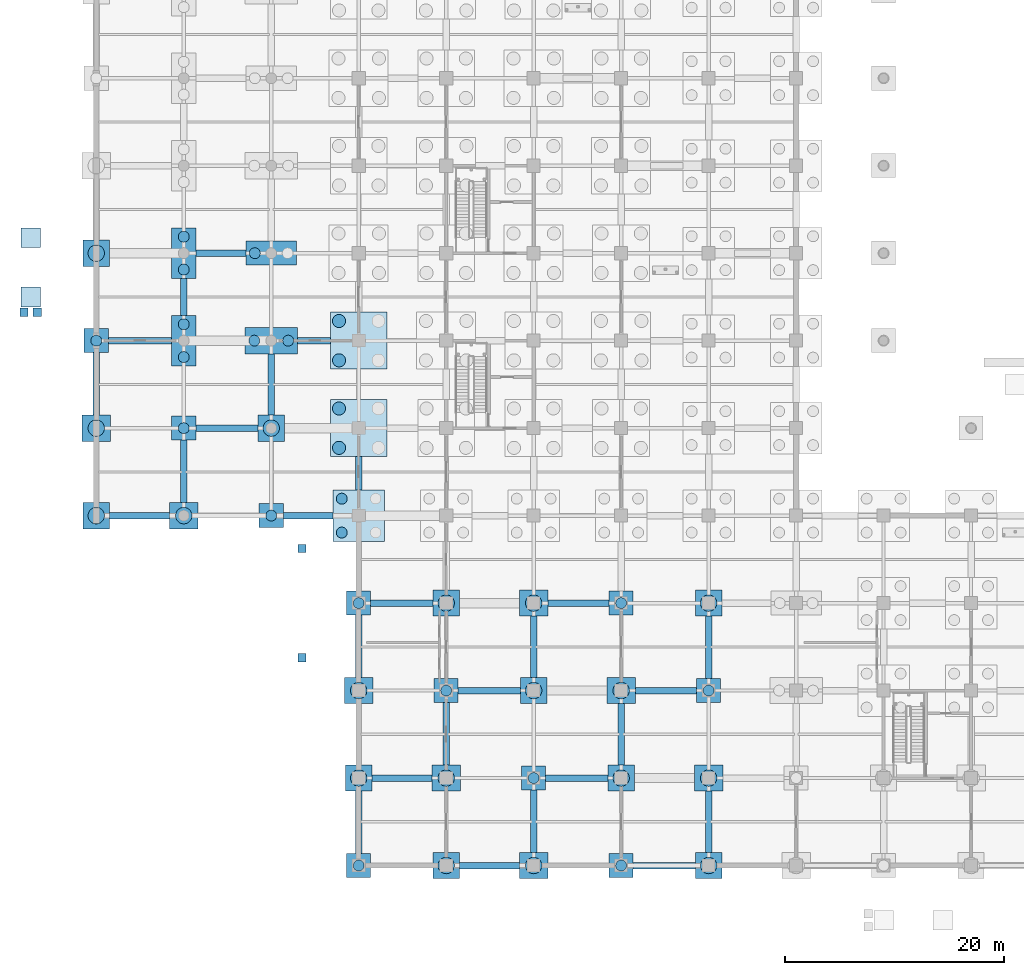
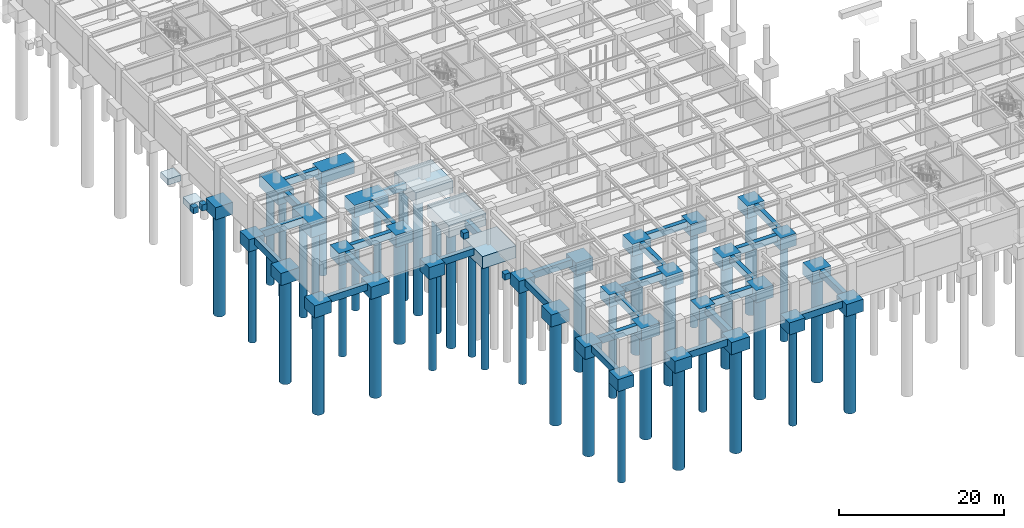
# One storey, part 1 of 97: 68 footings, 41 piles.
"""IFC4 building model written with IfcOpenShell, lengths in metres."""

from ifc_helpers import new_model, si_unit, direction, frame, origin, origin_2d, place, context, subcontext, project, spatial, rectangle, circle, extrude, material, layer, layer_set, material_profile, profile_set, type_object, element, save


model = new_model("IFC4")

# Units and contexts
model_context = context("Model", 3, precision=1e-05, world=origin(), true_north=direction((0.0, 1.0)))
body_context = subcontext(model_context, "Body", "Model", "MODEL_VIEW")
ifc_project = project(units=[si_unit("LENGTHUNIT", "METRE"), si_unit("AREAUNIT", "SQUARE_METRE"), si_unit("VOLUMEUNIT", "CUBIC_METRE"), si_unit("PLANEANGLEUNIT", "RADIAN"), si_unit("MASSUNIT", "GRAM", prefix="KILO")], contexts=[model_context])

# Site, building, storey
site_placement = place(None, origin())
site = spatial("IfcSite", under=ifc_project, at=site_placement, CompositionType="ELEMENT")
building_placement = place(site_placement, origin())
building = spatial("IfcBuilding", under=site, at=building_placement, Name="Haebicheon Civic Stadium", CompositionType="ELEMENT")
storey_placement = place(building_placement, frame((0.0, 0.0, -5.39990234375)))
storey = spatial("IfcBuildingStorey", under=building, at=storey_placement, Name="B1", CompositionType="ELEMENT", Elevation=-5.39990234375)

# Footings
ifc_material_1 = material(Name="Concrete C40/50", Category="concrete")
ifc_layer_1 = layer(ifc_material_1, 1.0, Name="Concrete C40/50")
ifc_layer_set_1 = layer_set([ifc_layer_1], Name="Concrete C40/50")
footing_type_1 = type_object("IfcFootingType", Name="FB-3000x600", PredefinedType="FOOTING_BEAM", material=ifc_layer_set_1)
footing_1_placement = place(storey_placement, frame((19.89990234375, 48.0, -1.0), z_axis=(0.0, 0.0, 1.0), x_axis=(1.0, 0.0, 0.0)))
element("IfcFooting", 1, at=footing_1_placement, inside=storey, type_object=footing_type_1, material=ifc_layer_set_1, Name="Ground tie beam X 02-06", PredefinedType="FOOTING_BEAM", context=body_context, shape_type="SweptSolid", body=[
    extrude(rectangle(XDim=3.0, YDim=0.60009765625, at=origin_2d()), origin(), (0.0, 0.0, 1.0), 1.0),
])
ifc_material_2 = material(Name="Concrete C40/50", Category="concrete")
ifc_layer_2 = layer(ifc_material_2, 1.0, Name="Concrete C40/50")
ifc_layer_set_2 = layer_set([ifc_layer_2], Name="Concrete C40/50")
footing_type_2 = type_object("IfcFootingType", Name="FB-3050x600", PredefinedType="FOOTING_BEAM", material=ifc_layer_set_2)
footing_2_placement = place(storey_placement, frame((24.0, 35.875, -1.0), z_axis=(0.0, 0.0, 1.0), x_axis=(0.0, 1.0, 0.0)))
element("IfcFooting", 2, at=footing_2_placement, inside=storey, type_object=footing_type_2, material=ifc_layer_set_2, Name="Ground tie beam Y 03-04", PredefinedType="FOOTING_BEAM", context=body_context, shape_type="SweptSolid", body=[
    extrude(rectangle(XDim=3.050048828125, YDim=0.60009765625, at=origin_2d()), origin(), (0.0, 0.0, 1.0), 1.0),
])
ifc_material_3 = material(Name="Concrete C40/50", Category="concrete")
ifc_layer_3 = layer(ifc_material_3, 1.0, Name="Concrete C40/50")
ifc_layer_set_3 = layer_set([ifc_layer_3], Name="Concrete C40/50")
footing_type_3 = type_object("IfcFootingType", Name="FB-3400x600", PredefinedType="FOOTING_BEAM", material=ifc_layer_set_3)
footing_3_placement = place(storey_placement, frame((8.0, 52.0, -1.0), z_axis=(0.0, 0.0, 1.0), x_axis=(0.0, 1.0, 0.0)))
element("IfcFooting", 3, at=footing_3_placement, inside=storey, type_object=footing_type_3, material=ifc_layer_set_3, Name="Ground tie beam Y 01-06", PredefinedType="FOOTING_BEAM", context=body_context, shape_type="SweptSolid", body=[
    extrude(rectangle(XDim=3.39990234375, YDim=0.60009765625, at=origin_2d()), origin(), (0.0, 0.0, 1.0), 1.0),
])
ifc_material_4 = material(Name="Concrete C40/50", Category="concrete")
ifc_layer_4 = layer(ifc_material_4, 1.0, Name="Concrete C40/50")
ifc_layer_set_4 = layer_set([ifc_layer_4], Name="Concrete C40/50")
footing_type_4 = type_object("IfcFootingType", Name="FB-4550x600", PredefinedType="FOOTING_BEAM", material=ifc_layer_set_4)
footing_4_placement = place(storey_placement, frame((19.375, 32.0, -1.0), z_axis=(0.0, 0.0, 1.0), x_axis=(1.0, 0.0, 0.0)))
element("IfcFooting", 4, at=footing_4_placement, inside=storey, type_object=footing_type_4, material=ifc_layer_set_4, Name="Ground tie beam X 02-04", PredefinedType="FOOTING_BEAM", context=body_context, shape_type="SweptSolid", body=[
    extrude(rectangle(XDim=4.550048828125, YDim=0.60009765625, at=origin_2d()), origin(), (0.0, 0.0, 1.0), 1.0),
])
ifc_material_5 = material(Name="Concrete C40/50", Category="concrete")
ifc_layer_5 = layer(ifc_material_5, 1.0, Name="Concrete C40/50")
ifc_layer_set_5 = layer_set([ifc_layer_5], Name="Concrete C40/50")
footing_type_5 = type_object("IfcFootingType", Name="FB-4600x600", PredefinedType="FOOTING_BEAM", material=ifc_layer_set_5)
footing_5_placement = place(storey_placement, frame((11.39990234375, 56.0, -1.0), z_axis=(0.0, 0.0, 1.0), x_axis=(1.0, 0.0, 0.0)))
element("IfcFooting", 5, at=footing_5_placement, inside=storey, type_object=footing_type_5, material=ifc_layer_set_5, Name="Ground tie beam X 01-07", PredefinedType="FOOTING_BEAM", context=body_context, shape_type="SweptSolid", body=[
    extrude(rectangle(XDim=4.60009765625, YDim=0.60009765625, at=origin_2d()), origin(), (0.0, 0.0, 1.0), 1.0),
])
ifc_material_6 = material(Name="Concrete C40/50", Category="concrete")
ifc_layer_6 = layer(ifc_material_6, 1.0, Name="Concrete C40/50")
ifc_layer_set_6 = layer_set([ifc_layer_6], Name="Concrete C40/50")
footing_type_6 = type_object("IfcFootingType", Name="FB-5500x600", PredefinedType="FOOTING_BEAM", material=ifc_layer_set_6)
for number, where, z_axis, x_axis, name in (
    (6, (3.949951171875, 32.0, -1.0), (0.0, 0.0, 1.0), (1.0, 0.0, 0.0), "Ground tie beam X 00-04"),
    (7, (27.949951171875, 8.0, -1.0), (0.0, 0.0, 1.0), (1.0, 0.0, 0.0), "Ground tie beam X 03-01"),
    (8, (35.949951171875, 0.0, -1.0), (0.0, 0.0, 1.0), (1.0, 0.0, 0.0), "Ground tie beam X 04-00"),
):
    element("IfcFooting", number, at=place(storey_placement, frame(where, z_axis=z_axis, x_axis=x_axis)), inside=storey, type_object=footing_type_6, material=ifc_layer_set_6, Name=name, PredefinedType="FOOTING_BEAM", context=body_context, shape_type="SweptSolid", body=[
        extrude(rectangle(XDim=5.5, YDim=0.60009765625, at=origin_2d()), origin(), (0.0, 0.0, 1.0), 1.0),
    ])
ifc_material_7 = material(Name="Concrete C40/50", Category="concrete")
ifc_layer_7 = layer(ifc_material_7, 1.0, Name="Concrete C40/50")
ifc_layer_set_7 = layer_set([ifc_layer_7], Name="Concrete C40/50")
footing_type_7 = type_object("IfcFootingType", Name="FB-5600x600", PredefinedType="FOOTING_BEAM", material=ifc_layer_set_7)
for number, where, z_axis, x_axis, name in (
    (9, (16.0, 44.0, -1.0), (0.0, 0.0, 1.0), (0.0, 1.0, 0.0), "Ground tie beam Y 02-05"),
    (10, (40.0, 20.0, -1.0), (0.0, 0.0, 1.0), (0.0, 1.0, 0.0), "Ground tie beam Y 05-02"),
    (11, (44.10009765625, 24.0, -1.0), (0.0, 0.0, 1.0), (1.0, 0.0, 0.0), "Ground tie beam X 05-03"),
    (12, (48.0, 12.0, -1.0), (0.0, 0.0, 1.0), (0.0, 1.0, 0.0), "Ground tie beam Y 06-01"),
    (13, (52.10009765625, 16.0, -1.0), (0.0, 0.0, 1.0), (1.0, 0.0, 0.0), "Ground tie beam X 06-02"),
    (14, (56.0, 4.0, -1.0), (0.0, 0.0, 1.0), (0.0, 1.0, 0.0), "Ground tie beam Y 07-00"),
):
    element("IfcFooting", number, at=place(storey_placement, frame(where, z_axis=z_axis, x_axis=x_axis)), inside=storey, type_object=footing_type_7, material=ifc_layer_set_7, Name=name, PredefinedType="FOOTING_BEAM", context=body_context, shape_type="SweptSolid", body=[
        extrude(rectangle(XDim=5.60009765625, YDim=0.60009765625, at=origin_2d()), origin(), (0.0, 0.0, 1.0), 1.0),
    ])
ifc_material_8 = material(Name="Concrete C40/50", Category="concrete")
ifc_layer_8 = layer(ifc_material_8, 1.0, Name="Concrete C40/50")
ifc_layer_set_8 = layer_set([ifc_layer_8], Name="Concrete C40/50")
footing_type_8 = type_object("IfcFootingType", Name="FB-5700x600", PredefinedType="FOOTING_BEAM", material=ifc_layer_set_8)
for number, where, z_axis, x_axis, name in (
    (15, (0.0, 44.050048828125, -1.0), (0.0, 0.0, 1.0), (0.0, 1.0, 0.0), "Ground tie beam Y 00-05"),
    (16, (8.0, 36.050048828125, -1.0), (0.0, 0.0, 1.0), (0.0, 1.0, 0.0), "Ground tie beam Y 01-04"),
    (17, (11.949951171875, 40.0, -1.0), (0.0, 0.0, 1.0), (1.0, 0.0, 0.0), "Ground tie beam X 01-05"),
    (18, (24.0, 3.949951171875, -1.0), (0.0, 0.0, 1.0), (0.0, 1.0, 0.0), "Ground tie beam Y 03-00"),
    (19, (24.0, 20.050048828125, -1.0), (0.0, 0.0, 1.0), (0.0, 1.0, 0.0), "Ground tie beam Y 03-02"),
    (20, (27.949951171875, 24.0, -1.0), (0.0, 0.0, 1.0), (1.0, 0.0, 0.0), "Ground tie beam X 03-03"),
    (21, (32.0, 12.050048828125, -1.0), (0.0, 0.0, 1.0), (0.0, 1.0, 0.0), "Ground tie beam Y 04-01"),
    (22, (35.949951171875, 16.0, -1.0), (0.0, 0.0, 1.0), (1.0, 0.0, 0.0), "Ground tie beam X 04-02"),
    (23, (40.0, 4.050048828125, -1.0), (0.0, 0.0, 1.0), (0.0, 1.0, 0.0), "Ground tie beam Y 05-00"),
    (24, (43.949951171875, 8.0, -1.0), (0.0, 0.0, 1.0), (1.0, 0.0, 0.0), "Ground tie beam X 05-01"),
    (25, (51.949951171875, 0.0, -1.0), (0.0, 0.0, 1.0), (1.0, 0.0, 0.0), "Ground tie beam X 06-00"),
    (26, (56.0, 19.949951171875, -1.0), (0.0, 0.0, 1.0), (0.0, 1.0, 0.0), "Ground tie beam Y 07-02"),
):
    element("IfcFooting", number, at=place(storey_placement, frame(where, z_axis=z_axis, x_axis=x_axis)), inside=storey, type_object=footing_type_8, material=ifc_layer_set_8, Name=name, PredefinedType="FOOTING_BEAM", context=body_context, shape_type="SweptSolid", body=[
        extrude(rectangle(XDim=5.699951171875, YDim=0.60009765625, at=origin_2d()), origin(), (0.0, 0.0, 1.0), 1.0),
    ])
ifc_material_9 = material(Name="Concrete C40/50", Category="concrete")
ifc_layer_9 = layer(ifc_material_9, 1.0, Name="Concrete C40/50")
ifc_layer_set_9 = layer_set([ifc_layer_9], Name="Concrete C40/50")
footing_type_9 = type_object("IfcFootingType", Name="FB-5800x600", PredefinedType="FOOTING_BEAM", material=ifc_layer_set_9)
footing_6_placement = place(storey_placement, frame((4.0, 48.0, -1.0), z_axis=(0.0, 0.0, 1.0), x_axis=(1.0, 0.0, 0.0)))
element("IfcFooting", 27, at=footing_6_placement, inside=storey, type_object=footing_type_9, material=ifc_layer_set_9, Name="Ground tie beam X 00-06", PredefinedType="FOOTING_BEAM", context=body_context, shape_type="SweptSolid", body=[
    extrude(rectangle(XDim=5.800048828125, YDim=0.60009765625, at=origin_2d()), origin(), (0.0, 0.0, 1.0), 1.0),
])
ifc_material_10 = material(Name="Concrete C40/50", Category="concrete")
ifc_layer_10 = layer(ifc_material_10, 1.800048828125, Name="Concrete C40/50")
ifc_layer_set_10 = layer_set([ifc_layer_10], Name="Concrete C40/50")
footing_type_10 = type_object("IfcFootingType", Name="PC-1P-2200", PredefinedType="PILE_CAP", material=ifc_layer_set_10)
for number, where, z_axis, x_axis, name in (
    (28, (0.0, 48.0, -1.80029296875), (0.0, 0.0, 1.0), (1.0, 0.0, 0.0), "Pile cap FT-PC-00-06"),
    (29, (8.0, 40.0, -1.80029296875), (0.0, 0.0, 1.0), (1.0, 0.0, 0.0), "Pile cap FT-PC-01-05"),
    (30, (16.0, 32.0, -1.80029296875), (0.0, 0.0, 1.0), (1.0, 0.0, 0.0), "Pile cap FT-PC-02-04"),
    (31, (24.0, 0.0, -1.80029296875), (0.0, 0.0, 1.0), (1.0, 0.0, 0.0), "Pile cap FT-PC-03-00"),
    (32, (24.0, 24.0, -1.80029296875), (0.0, 0.0, 1.0), (1.0, 0.0, 0.0), "Pile cap FT-PC-03-03"),
    (33, (32.0, 16.0, -1.80029296875), (0.0, 0.0, 1.0), (1.0, 0.0, 0.0), "Pile cap FT-PC-04-02"),
    (34, (40.0, 8.0, -1.80029296875), (0.0, 0.0, 1.0), (1.0, 0.0, 0.0), "Pile cap FT-PC-05-01"),
    (35, (48.0, 0.0, -1.80029296875), (0.0, 0.0, 1.0), (1.0, 0.0, 0.0), "Pile cap FT-PC-06-00"),
    (36, (48.0, 24.0, -1.80029296875), (0.0, 0.0, 1.0), (1.0, 0.0, 0.0), "Pile cap FT-PC-06-03"),
    (37, (56.0, 16.0, -1.80029296875), (0.0, 0.0, 1.0), (1.0, 0.0, 0.0), "Pile cap FT-PC-07-02"),
):
    element("IfcFooting", number, at=place(storey_placement, frame(where, z_axis=z_axis, x_axis=x_axis)), inside=storey, type_object=footing_type_10, material=ifc_layer_set_10, Name=name, PredefinedType="PILE_CAP", context=body_context, shape_type="SweptSolid", body=[
        extrude(rectangle(XDim=2.199951171875, YDim=2.199951171875, at=origin_2d()), origin(), (0.0, 0.0, 1.0), 1.800048828125),
    ])
ifc_material_11 = material(Name="Concrete C40/50", Category="concrete")
ifc_layer_11 = layer(ifc_material_11, 1.800048828125, Name="Concrete C40/50")
ifc_layer_set_11 = layer_set([ifc_layer_11], Name="Concrete C40/50")
footing_type_11 = type_object("IfcFootingType", Name="PC-1P-2400", PredefinedType="PILE_CAP", material=ifc_layer_set_11)
for number, where, z_axis, x_axis, name in (
    (38, (0.0, 32.0, -1.80029296875), (0.0, 0.0, 1.0), (1.0, 0.0, 0.0), "Pile cap FT-PC-00-04"),
    (39, (0.0, 56.0, -1.80029296875), (0.0, 0.0, 1.0), (1.0, 0.0, 0.0), "Pile cap FT-PC-00-07"),
    (40, (16.0, 40.0, -1.80029296875), (0.0, 0.0, 1.0), (1.0, 0.0, 0.0), "Pile cap FT-PC-02-05"),
    (41, (24.0, 8.0, -1.80029296875), (0.0, 0.0, 1.0), (1.0, 0.0, 0.0), "Pile cap FT-PC-03-01"),
    (42, (32.0, 0.0, -1.80029296875), (0.0, 0.0, 1.0), (1.0, 0.0, 0.0), "Pile cap FT-PC-04-00"),
    (43, (32.0, 24.0, -1.80029296875), (0.0, 0.0, 1.0), (1.0, 0.0, 0.0), "Pile cap FT-PC-04-03"),
    (44, (40.0, 16.0, -1.80029296875), (0.0, 0.0, 1.0), (1.0, 0.0, 0.0), "Pile cap FT-PC-05-02"),
    (45, (48.0, 8.0, -1.80029296875), (0.0, 0.0, 1.0), (1.0, 0.0, 0.0), "Pile cap FT-PC-06-01"),
    (46, (56.0, 0.0, -1.80029296875), (0.0, 0.0, 1.0), (1.0, 0.0, 0.0), "Pile cap FT-PC-07-00"),
    (47, (56.0, 24.0, -1.80029296875), (0.0, 0.0, 1.0), (1.0, 0.0, 0.0), "Pile cap FT-PC-07-03"),
):
    element("IfcFooting", number, at=place(storey_placement, frame(where, z_axis=z_axis, x_axis=x_axis)), inside=storey, type_object=footing_type_11, material=ifc_layer_set_11, Name=name, PredefinedType="PILE_CAP", context=body_context, shape_type="SweptSolid", body=[
        extrude(rectangle(XDim=2.39990234375, YDim=2.39990234375, at=origin_2d()), origin(), (0.0, 0.0, 1.0), 1.800048828125),
    ])
ifc_material_12 = material(Name="Concrete C40/50", Category="concrete")
ifc_layer_12 = layer(ifc_material_12, 1.800048828125, Name="Concrete C40/50")
ifc_layer_set_12 = layer_set([ifc_layer_12], Name="Concrete C40/50")
footing_type_12 = type_object("IfcFootingType", Name="PC-1P-2600", PredefinedType="PILE_CAP", material=ifc_layer_set_12)
for number, where, z_axis, x_axis, name in (
    (48, (0.0, 40.0, -1.80029296875), (0.0, 0.0, 1.0), (1.0, 0.0, 0.0), "Pile cap FT-PC-00-05"),
    (49, (8.0, 32.0, -1.80029296875), (0.0, 0.0, 1.0), (1.0, 0.0, 0.0), "Pile cap FT-PC-01-04"),
    (50, (24.0, 16.0, -1.80029296875), (0.0, 0.0, 1.0), (1.0, 0.0, 0.0), "Pile cap FT-PC-03-02"),
    (51, (32.0, 8.0, -1.80029296875), (0.0, 0.0, 1.0), (1.0, 0.0, 0.0), "Pile cap FT-PC-04-01"),
    (52, (40.0, 0.0, -1.80029296875), (0.0, 0.0, 1.0), (1.0, 0.0, 0.0), "Pile cap FT-PC-05-00"),
    (53, (40.0, 24.0, -1.80029296875), (0.0, 0.0, 1.0), (1.0, 0.0, 0.0), "Pile cap FT-PC-05-03"),
    (54, (48.0, 16.0, -1.80029296875), (0.0, 0.0, 1.0), (1.0, 0.0, 0.0), "Pile cap FT-PC-06-02"),
    (55, (56.0, 8.0, -1.80029296875), (0.0, 0.0, 1.0), (1.0, 0.0, 0.0), "Pile cap FT-PC-07-01"),
):
    element("IfcFooting", number, at=place(storey_placement, frame(where, z_axis=z_axis, x_axis=x_axis)), inside=storey, type_object=footing_type_12, material=ifc_layer_set_12, Name=name, PredefinedType="PILE_CAP", context=body_context, shape_type="SweptSolid", body=[
        extrude(rectangle(XDim=2.60009765625, YDim=2.39990234375, at=origin_2d()), origin(), (0.0, 0.0, 1.0), 1.800048828125),
    ])
ifc_material_13 = material(Name="Concrete C40/50", Category="concrete")
ifc_layer_13 = layer(ifc_material_13, 1.800048828125, Name="Concrete C40/50")
ifc_layer_set_13 = layer_set([ifc_layer_13], Name="Concrete C40/50")
footing_type_13 = type_object("IfcFootingType", Name="PC-2P-2200", PredefinedType="PILE_CAP", material=ifc_layer_set_13)
for number, where, z_axis, x_axis, name in (
    (56, (8.0, 48.0, -1.80029296875), (0.0, 0.0, 1.0), (1.0, 0.0, 0.0), "Pile cap FT-PC-01-06"),
    (57, (8.0, 56.0, -1.80029296875), (0.0, 0.0, 1.0), (1.0, 0.0, 0.0), "Pile cap FT-PC-01-07"),
):
    element("IfcFooting", number, at=place(storey_placement, frame(where, z_axis=z_axis, x_axis=x_axis)), inside=storey, type_object=footing_type_13, material=ifc_layer_set_13, Name=name, PredefinedType="PILE_CAP", context=body_context, shape_type="SweptSolid", body=[
        extrude(rectangle(XDim=2.199951171875, YDim=4.60009765625, at=origin_2d()), origin(), (0.0, 0.0, 1.0), 1.800048828125),
    ])
ifc_material_14 = material(Name="Concrete C40/50", Category="concrete")
ifc_layer_14 = layer(ifc_material_14, 1.800048828125, Name="Concrete C40/50")
ifc_layer_set_14 = layer_set([ifc_layer_14], Name="Concrete C40/50")
footing_type_14 = type_object("IfcFootingType", Name="PC-2P-4600", PredefinedType="PILE_CAP", material=ifc_layer_set_14)
footing_7_placement = place(storey_placement, frame((16.0, 56.0, -1.80029296875), z_axis=(0.0, 0.0, 1.0), x_axis=(1.0, 0.0, 0.0)))
element("IfcFooting", 58, at=footing_7_placement, inside=storey, type_object=footing_type_14, material=ifc_layer_set_14, Name="Pile cap FT-PC-02-07", PredefinedType="PILE_CAP", context=body_context, shape_type="SweptSolid", body=[
    extrude(rectangle(XDim=4.60009765625, YDim=2.199951171875, at=origin_2d()), origin(), (0.0, 0.0, 1.0), 1.800048828125),
])
ifc_material_15 = material(Name="Concrete C40/50", Category="concrete")
ifc_layer_15 = layer(ifc_material_15, 1.800048828125, Name="Concrete C40/50")
ifc_layer_set_15 = layer_set([ifc_layer_15], Name="Concrete C40/50")
footing_type_15 = type_object("IfcFootingType", Name="PC-2P-4800", PredefinedType="PILE_CAP", material=ifc_layer_set_15)
footing_8_placement = place(storey_placement, frame((16.0, 48.0, -1.80029296875), z_axis=(0.0, 0.0, 1.0), x_axis=(1.0, 0.0, 0.0)))
element("IfcFooting", 59, at=footing_8_placement, inside=storey, type_object=footing_type_15, material=ifc_layer_set_15, Name="Pile cap FT-PC-02-06", PredefinedType="PILE_CAP", context=body_context, shape_type="SweptSolid", body=[
    extrude(rectangle(XDim=4.800048828125, YDim=2.39990234375, at=origin_2d()), origin(), (0.0, 0.0, 1.0), 1.800048828125),
])
ifc_material_16 = material(Name="Concrete C40/50", Category="concrete")
ifc_layer_16 = layer(ifc_material_16, 1.800048828125, Name="Concrete C40/50")
ifc_layer_set_16 = layer_set([ifc_layer_16], Name="Concrete C40/50")
footing_type_16 = type_object("IfcFootingType", Name="PC-4P-4700", PredefinedType="PILE_CAP", material=ifc_layer_set_16)
footing_9_placement = place(storey_placement, frame((24.0, 32.0, -1.80029296875), z_axis=(0.0, 0.0, 1.0), x_axis=(1.0, 0.0, 0.0)))
element("IfcFooting", 60, at=footing_9_placement, inside=storey, type_object=footing_type_16, material=ifc_layer_set_16, Name="Pile cap FT-PC-03-04", PredefinedType="PILE_CAP", context=body_context, shape_type="SweptSolid", body=[
    extrude(rectangle(XDim=4.699951171875, YDim=4.699951171875, at=origin_2d()), origin(), (0.0, 0.0, 1.0), 1.800048828125),
])
ifc_material_17 = material(Name="Concrete C40/50", Category="concrete")
ifc_layer_17 = layer(ifc_material_17, 1.800048828125, Name="Concrete C40/50")
ifc_layer_set_17 = layer_set([ifc_layer_17], Name="Concrete C40/50")
footing_type_17 = type_object("IfcFootingType", Name="PC-4P-5200", PredefinedType="PILE_CAP", material=ifc_layer_set_17)
for number, where, z_axis, x_axis, name in (
    (61, (24.0, 40.0, -1.80029296875), (0.0, 0.0, 1.0), (1.0, 0.0, 0.0), "Pile cap FT-PC-03-05"),
    (62, (24.0, 48.0, -1.80029296875), (0.0, 0.0, 1.0), (1.0, 0.0, 0.0), "Pile cap FT-PC-03-06"),
):
    element("IfcFooting", number, at=place(storey_placement, frame(where, z_axis=z_axis, x_axis=x_axis)), inside=storey, type_object=footing_type_17, material=ifc_layer_set_17, Name=name, PredefinedType="PILE_CAP", context=body_context, shape_type="SweptSolid", body=[
        extrude(rectangle(XDim=5.199951171875, YDim=5.199951171875, at=origin_2d()), origin(), (0.0, 0.0, 1.0), 1.800048828125),
    ])
ifc_material_18 = material(Name="Concrete C35/45", Category="concrete")
ifc_layer_18 = layer(ifc_material_18, 0.89990234375, Name="Concrete C35/45")
ifc_layer_set_18 = layer_set([ifc_layer_18], Name="Concrete C35/45")
footing_type_18 = type_object("IfcFootingType", Name="PF-1800", PredefinedType="PAD_FOOTING", material=ifc_layer_set_18)
for number, where, z_axis, x_axis, name in (
    (63, (-6.0, 52.0, 3.849853515625), (0.0, 0.0, 1.0), (1.0, 0.0, 0.0), "Ramp lower pad footing RMP-01"),
    (64, (-6.0, 57.39990234375, 4.300048828125), (0.0, 0.0, 1.0), (1.0, 0.0, 0.0), "Ramp upper pad footing RMP-01"),
):
    element("IfcFooting", number, at=place(storey_placement, frame(where, z_axis=z_axis, x_axis=x_axis)), inside=storey, type_object=footing_type_18, material=ifc_layer_set_18, Name=name, PredefinedType="PAD_FOOTING", context=body_context, shape_type="SweptSolid", body=[
        extrude(rectangle(XDim=1.800048828125, YDim=1.800048828125, at=origin_2d()), origin(), (0.0, 0.0, 1.0), 0.89990234375),
    ])
ifc_material_19 = material(Name="Concrete C35/45", Category="concrete")
ifc_layer_19 = layer(ifc_material_19, 0.89990234375, Name="Concrete C35/45")
ifc_layer_set_19 = layer_set([ifc_layer_19], Name="Concrete C35/45")
footing_type_19 = type_object("IfcFootingType", Name="PF-750", PredefinedType="PAD_FOOTING", material=ifc_layer_set_19)
for number, where, z_axis, x_axis, name in (
    (65, (18.800048828125, 19.0, 4.300048828125), (0.0, 0.0, 1.0), (1.0, 0.0, 0.0), "Exterior plaza apron pad footing APR-WS-1"),
    (66, (18.800048828125, 29.0, 4.300048828125), (0.0, 0.0, 1.0), (1.0, 0.0, 0.0), "Exterior plaza apron pad footing APR-WS-2"),
    (67, (-6.60009765625, 50.60009765625, 3.849853515625), (0.0, 0.0, 1.0), (1.0, 0.0, 0.0), "Ramp landing corner pad footing RMP-01.1"),
    (68, (-5.39990234375, 50.60009765625, 3.849853515625), (0.0, 0.0, 1.0), (1.0, 0.0, 0.0), "Ramp landing corner pad footing RMP-01.2"),
):
    element("IfcFooting", number, at=place(storey_placement, frame(where, z_axis=z_axis, x_axis=x_axis)), inside=storey, type_object=footing_type_19, material=ifc_layer_set_19, Name=name, PredefinedType="PAD_FOOTING", context=body_context, shape_type="SweptSolid", body=[
        extrude(rectangle(XDim=0.75, YDim=0.75, at=origin_2d()), origin(), (0.0, 0.0, 1.0), 0.89990234375),
    ])

# Piles
ifc_material_20 = material(Name="Concrete C40/50", Category="concrete")
ifc_material_profile_1 = material_profile(ifc_material_20, circle(Radius=0.5, at=origin_2d()), Name="PILE-D1000")
ifc_profile_set_1 = profile_set([ifc_material_profile_1], Name="Concrete C40/50")
pile_type_1 = type_object("IfcPileType", Name="PL-D1000", PredefinedType="BORED", material=ifc_profile_set_1)
for number, where, z_axis, x_axis, name in (
    (69, (0.0, 48.0, -1.7001953125), (0.0, 0.0, -1.0), (1.0, 0.0, 0.0), "Bored pile 00-06-1"),
    (70, (8.0, 40.0, -1.7001953125), (0.0, 0.0, -1.0), (1.0, 0.0, 0.0), "Bored pile 01-05-1"),
    (71, (8.0, 46.5, -1.7001953125), (0.0, 0.0, -1.0), (1.0, 0.0, 0.0), "Bored pile 01-06-1"),
    (72, (8.0, 49.5, -1.7001953125), (0.0, 0.0, -1.0), (1.0, 0.0, 0.0), "Bored pile 01-06-2"),
    (73, (8.0, 54.5, -1.7001953125), (0.0, 0.0, -1.0), (1.0, 0.0, 0.0), "Bored pile 01-07-1"),
    (74, (8.0, 57.5, -1.7001953125), (0.0, 0.0, -1.0), (1.0, 0.0, 0.0), "Bored pile 01-07-2"),
    (75, (16.0, 32.0, -1.7001953125), (0.0, 0.0, -1.0), (1.0, 0.0, 0.0), "Bored pile 02-04-1"),
):
    element("IfcPile", number, at=place(storey_placement, frame(where, z_axis=z_axis, x_axis=x_axis)), inside=storey, type_object=pile_type_1, material=ifc_profile_set_1, Name=name, PredefinedType="BORED", context=body_context, shape_type="SweptSolid", body=[
        extrude(circle(Radius=0.5, at=origin_2d()), origin(), (0.0, 0.0, 1.0), 14.300048828125),
    ])
for number, where, z_axis, x_axis, name in (
    (76, (14.449951171875, 48.0, -1.7001953125), (0.0, 0.0, -1.0), (1.0, 0.0, 0.0), "Bored pile 02-06-1"),
    (77, (17.550048828125, 48.0, -1.7001953125), (0.0, 0.0, -1.0), (1.0, 0.0, 0.0), "Bored pile 02-06-2"),
):
    element("IfcPile", number, at=place(storey_placement, frame(where, z_axis=z_axis, x_axis=x_axis)), inside=storey, type_object=pile_type_1, material=ifc_profile_set_1, Name=name, PredefinedType="BORED", context=body_context, shape_type="SweptSolid", body=[
        extrude(circle(Radius=0.5, at=origin_2d()), origin(), (0.0, 0.0, 1.0), 14.60009765625),
    ])
for number, where, z_axis, x_axis, name in (
    (78, (14.5, 56.0, -1.7001953125), (0.0, 0.0, -1.0), (1.0, 0.0, 0.0), "Bored pile 02-07-1"),
    (79, (24.0, 0.0, -1.7001953125), (0.0, 0.0, -1.0), (1.0, 0.0, 0.0), "Bored pile 03-00-1"),
    (80, (24.0, 24.0, -1.7001953125), (0.0, 0.0, -1.0), (1.0, 0.0, 0.0), "Bored pile 03-03-1"),
):
    element("IfcPile", number, at=place(storey_placement, frame(where, z_axis=z_axis, x_axis=x_axis)), inside=storey, type_object=pile_type_1, material=ifc_profile_set_1, Name=name, PredefinedType="BORED", context=body_context, shape_type="SweptSolid", body=[
        extrude(circle(Radius=0.5, at=origin_2d()), origin(), (0.0, 0.0, 1.0), 14.300048828125),
    ])
for number, where, z_axis, x_axis, name in (
    (81, (22.449951171875, 30.449951171875, -1.7001953125), (0.0, 0.0, -1.0), (1.0, 0.0, 0.0), "Bored pile 03-04-1"),
    (82, (22.449951171875, 33.550048828125, -1.7001953125), (0.0, 0.0, -1.0), (1.0, 0.0, 0.0), "Bored pile 03-04-3"),
):
    element("IfcPile", number, at=place(storey_placement, frame(where, z_axis=z_axis, x_axis=x_axis)), inside=storey, type_object=pile_type_1, material=ifc_profile_set_1, Name=name, PredefinedType="BORED", context=body_context, shape_type="SweptSolid", body=[
        extrude(circle(Radius=0.5, at=origin_2d()), origin(), (0.0, 0.0, 1.0), 15.5),
    ])
for number, where, z_axis, x_axis, name in (
    (83, (32.0, 16.0, -1.7001953125), (0.0, 0.0, -1.0), (1.0, 0.0, 0.0), "Bored pile 04-02-1"),
    (84, (40.0, 8.0, -1.7001953125), (0.0, 0.0, -1.0), (1.0, 0.0, 0.0), "Bored pile 05-01-1"),
    (85, (48.0, 0.0, -1.7001953125), (0.0, 0.0, -1.0), (1.0, 0.0, 0.0), "Bored pile 06-00-1"),
    (86, (48.0, 24.0, -1.7001953125), (0.0, 0.0, -1.0), (1.0, 0.0, 0.0), "Bored pile 06-03-1"),
    (87, (56.0, 16.0, -1.7001953125), (0.0, 0.0, -1.0), (1.0, 0.0, 0.0), "Bored pile 07-02-1"),
):
    element("IfcPile", number, at=place(storey_placement, frame(where, z_axis=z_axis, x_axis=x_axis)), inside=storey, type_object=pile_type_1, material=ifc_profile_set_1, Name=name, PredefinedType="BORED", context=body_context, shape_type="SweptSolid", body=[
        extrude(circle(Radius=0.5, at=origin_2d()), origin(), (0.0, 0.0, 1.0), 14.300048828125),
    ])
ifc_material_21 = material(Name="Concrete C40/50", Category="concrete")
ifc_material_profile_2 = material_profile(ifc_material_21, circle(Radius=0.60009765625, at=origin_2d()), Name="PILE-D1200")
ifc_profile_set_2 = profile_set([ifc_material_profile_2], Name="Concrete C40/50")
pile_type_2 = type_object("IfcPileType", Name="PL-D1200", PredefinedType="BORED", material=ifc_profile_set_2)
for number, where, z_axis, x_axis, name in (
    (88, (22.199951171875, 38.199951171875, -1.7001953125), (0.0, 0.0, -1.0), (1.0, 0.0, 0.0), "Bored pile 03-05-1"),
    (89, (22.199951171875, 41.800048828125, -1.7001953125), (0.0, 0.0, -1.0), (1.0, 0.0, 0.0), "Bored pile 03-05-3"),
    (90, (22.199951171875, 46.199951171875, -1.7001953125), (0.0, 0.0, -1.0), (1.0, 0.0, 0.0), "Bored pile 03-06-1"),
    (91, (22.199951171875, 49.800048828125, -1.7001953125), (0.0, 0.0, -1.0), (1.0, 0.0, 0.0), "Bored pile 03-06-3"),
):
    element("IfcPile", number, at=place(storey_placement, frame(where, z_axis=z_axis, x_axis=x_axis)), inside=storey, type_object=pile_type_2, material=ifc_profile_set_2, Name=name, PredefinedType="BORED", context=body_context, shape_type="SweptSolid", body=[
        extrude(circle(Radius=0.60009765625, at=origin_2d()), origin(), (0.0, 0.0, 1.0), 16.89990234375),
    ])
ifc_material_22 = material(Name="Concrete C40/50", Category="concrete")
ifc_material_profile_3 = material_profile(ifc_material_22, circle(Radius=0.75, at=origin_2d()), Name="PILE-D1500")
ifc_profile_set_3 = profile_set([ifc_material_profile_3], Name="Concrete C40/50")
pile_type_3 = type_object("IfcPileType", Name="PL-D1500", PredefinedType="BORED", material=ifc_profile_set_3)
pile_1_placement = place(storey_placement, frame((0.0, 32.0, -1.7001953125), z_axis=(0.0, 0.0, -1.0), x_axis=(1.0, 0.0, 0.0)))
element("IfcPile", 92, at=pile_1_placement, inside=storey, type_object=pile_type_3, material=ifc_profile_set_3, Name="Bored pile 00-04-1", PredefinedType="BORED", context=body_context, shape_type="SweptSolid", body=[
    extrude(circle(Radius=0.75, at=origin_2d()), origin(), (0.0, 0.0, 1.0), 15.10009765625),
])
pile_2_placement = place(storey_placement, frame((0.0, 40.0, -1.7001953125), z_axis=(0.0, 0.0, -1.0), x_axis=(1.0, 0.0, 0.0)))
element("IfcPile", 93, at=pile_2_placement, inside=storey, type_object=pile_type_3, material=ifc_profile_set_3, Name="Bored pile 00-05-1", PredefinedType="BORED", context=body_context, shape_type="SweptSolid", body=[
    extrude(circle(Radius=0.75, at=origin_2d()), origin(), (0.0, 0.0, 1.0), 15.39990234375),
])
pile_3_placement = place(storey_placement, frame((0.0, 56.0, -1.7001953125), z_axis=(0.0, 0.0, -1.0), x_axis=(1.0, 0.0, 0.0)))
element("IfcPile", 94, at=pile_3_placement, inside=storey, type_object=pile_type_3, material=ifc_profile_set_3, Name="Bored pile 00-07-1", PredefinedType="BORED", context=body_context, shape_type="SweptSolid", body=[
    extrude(circle(Radius=0.75, at=origin_2d()), origin(), (0.0, 0.0, 1.0), 15.10009765625),
])
pile_4_placement = place(storey_placement, frame((8.0, 32.0, -1.7001953125), z_axis=(0.0, 0.0, -1.0), x_axis=(1.0, 0.0, 0.0)))
element("IfcPile", 95, at=pile_4_placement, inside=storey, type_object=pile_type_3, material=ifc_profile_set_3, Name="Bored pile 01-04-1", PredefinedType="BORED", context=body_context, shape_type="SweptSolid", body=[
    extrude(circle(Radius=0.75, at=origin_2d()), origin(), (0.0, 0.0, 1.0), 15.39990234375),
])
for number, where, z_axis, x_axis, name in (
    (96, (16.0, 40.0, -1.7001953125), (0.0, 0.0, -1.0), (1.0, 0.0, 0.0), "Bored pile 02-05-1"),
    (97, (24.0, 8.0, -1.7001953125), (0.0, 0.0, -1.0), (1.0, 0.0, 0.0), "Bored pile 03-01-1"),
):
    element("IfcPile", number, at=place(storey_placement, frame(where, z_axis=z_axis, x_axis=x_axis)), inside=storey, type_object=pile_type_3, material=ifc_profile_set_3, Name=name, PredefinedType="BORED", context=body_context, shape_type="SweptSolid", body=[
        extrude(circle(Radius=0.75, at=origin_2d()), origin(), (0.0, 0.0, 1.0), 15.10009765625),
    ])
pile_5_placement = place(storey_placement, frame((24.0, 16.0, -1.7001953125), z_axis=(0.0, 0.0, -1.0), x_axis=(1.0, 0.0, 0.0)))
element("IfcPile", 98, at=pile_5_placement, inside=storey, type_object=pile_type_3, material=ifc_profile_set_3, Name="Bored pile 03-02-1", PredefinedType="BORED", context=body_context, shape_type="SweptSolid", body=[
    extrude(circle(Radius=0.75, at=origin_2d()), origin(), (0.0, 0.0, 1.0), 15.39990234375),
])
pile_6_placement = place(storey_placement, frame((32.0, 0.0, -1.7001953125), z_axis=(0.0, 0.0, -1.0), x_axis=(1.0, 0.0, 0.0)))
element("IfcPile", 99, at=pile_6_placement, inside=storey, type_object=pile_type_3, material=ifc_profile_set_3, Name="Bored pile 04-00-1", PredefinedType="BORED", context=body_context, shape_type="SweptSolid", body=[
    extrude(circle(Radius=0.75, at=origin_2d()), origin(), (0.0, 0.0, 1.0), 15.10009765625),
])
pile_7_placement = place(storey_placement, frame((32.0, 8.0, -1.7001953125), z_axis=(0.0, 0.0, -1.0), x_axis=(1.0, 0.0, 0.0)))
element("IfcPile", 100, at=pile_7_placement, inside=storey, type_object=pile_type_3, material=ifc_profile_set_3, Name="Bored pile 04-01-1", PredefinedType="BORED", context=body_context, shape_type="SweptSolid", body=[
    extrude(circle(Radius=0.75, at=origin_2d()), origin(), (0.0, 0.0, 1.0), 15.39990234375),
])
pile_8_placement = place(storey_placement, frame((32.0, 24.0, -1.7001953125), z_axis=(0.0, 0.0, -1.0), x_axis=(1.0, 0.0, 0.0)))
element("IfcPile", 101, at=pile_8_placement, inside=storey, type_object=pile_type_3, material=ifc_profile_set_3, Name="Bored pile 04-03-1", PredefinedType="BORED", context=body_context, shape_type="SweptSolid", body=[
    extrude(circle(Radius=0.75, at=origin_2d()), origin(), (0.0, 0.0, 1.0), 15.10009765625),
])
pile_9_placement = place(storey_placement, frame((40.0, 0.0, -1.7001953125), z_axis=(0.0, 0.0, -1.0), x_axis=(1.0, 0.0, 0.0)))
element("IfcPile", 102, at=pile_9_placement, inside=storey, type_object=pile_type_3, material=ifc_profile_set_3, Name="Bored pile 05-00-1", PredefinedType="BORED", context=body_context, shape_type="SweptSolid", body=[
    extrude(circle(Radius=0.75, at=origin_2d()), origin(), (0.0, 0.0, 1.0), 15.39990234375),
])
pile_10_placement = place(storey_placement, frame((40.0, 16.0, -1.7001953125), z_axis=(0.0, 0.0, -1.0), x_axis=(1.0, 0.0, 0.0)))
element("IfcPile", 103, at=pile_10_placement, inside=storey, type_object=pile_type_3, material=ifc_profile_set_3, Name="Bored pile 05-02-1", PredefinedType="BORED", context=body_context, shape_type="SweptSolid", body=[
    extrude(circle(Radius=0.75, at=origin_2d()), origin(), (0.0, 0.0, 1.0), 15.10009765625),
])
pile_11_placement = place(storey_placement, frame((40.0, 24.0, -1.7001953125), z_axis=(0.0, 0.0, -1.0), x_axis=(1.0, 0.0, 0.0)))
element("IfcPile", 104, at=pile_11_placement, inside=storey, type_object=pile_type_3, material=ifc_profile_set_3, Name="Bored pile 05-03-1", PredefinedType="BORED", context=body_context, shape_type="SweptSolid", body=[
    extrude(circle(Radius=0.75, at=origin_2d()), origin(), (0.0, 0.0, 1.0), 15.39990234375),
])
pile_12_placement = place(storey_placement, frame((48.0, 8.0, -1.7001953125), z_axis=(0.0, 0.0, -1.0), x_axis=(1.0, 0.0, 0.0)))
element("IfcPile", 105, at=pile_12_placement, inside=storey, type_object=pile_type_3, material=ifc_profile_set_3, Name="Bored pile 06-01-1", PredefinedType="BORED", context=body_context, shape_type="SweptSolid", body=[
    extrude(circle(Radius=0.75, at=origin_2d()), origin(), (0.0, 0.0, 1.0), 15.10009765625),
])
pile_13_placement = place(storey_placement, frame((48.0, 16.0, -1.7001953125), z_axis=(0.0, 0.0, -1.0), x_axis=(1.0, 0.0, 0.0)))
element("IfcPile", 106, at=pile_13_placement, inside=storey, type_object=pile_type_3, material=ifc_profile_set_3, Name="Bored pile 06-02-1", PredefinedType="BORED", context=body_context, shape_type="SweptSolid", body=[
    extrude(circle(Radius=0.75, at=origin_2d()), origin(), (0.0, 0.0, 1.0), 15.39990234375),
])
pile_14_placement = place(storey_placement, frame((56.0, 0.0, -1.7001953125), z_axis=(0.0, 0.0, -1.0), x_axis=(1.0, 0.0, 0.0)))
element("IfcPile", 107, at=pile_14_placement, inside=storey, type_object=pile_type_3, material=ifc_profile_set_3, Name="Bored pile 07-00-1", PredefinedType="BORED", context=body_context, shape_type="SweptSolid", body=[
    extrude(circle(Radius=0.75, at=origin_2d()), origin(), (0.0, 0.0, 1.0), 15.10009765625),
])
pile_15_placement = place(storey_placement, frame((56.0, 8.0, -1.7001953125), z_axis=(0.0, 0.0, -1.0), x_axis=(1.0, 0.0, 0.0)))
element("IfcPile", 108, at=pile_15_placement, inside=storey, type_object=pile_type_3, material=ifc_profile_set_3, Name="Bored pile 07-01-1", PredefinedType="BORED", context=body_context, shape_type="SweptSolid", body=[
    extrude(circle(Radius=0.75, at=origin_2d()), origin(), (0.0, 0.0, 1.0), 15.39990234375),
])
pile_16_placement = place(storey_placement, frame((56.0, 24.0, -1.7001953125), z_axis=(0.0, 0.0, -1.0), x_axis=(1.0, 0.0, 0.0)))
element("IfcPile", 109, at=pile_16_placement, inside=storey, type_object=pile_type_3, material=ifc_profile_set_3, Name="Bored pile 07-03-1", PredefinedType="BORED", context=body_context, shape_type="SweptSolid", body=[
    extrude(circle(Radius=0.75, at=origin_2d()), origin(), (0.0, 0.0, 1.0), 15.10009765625),
])

save(model, "model.ifc")
